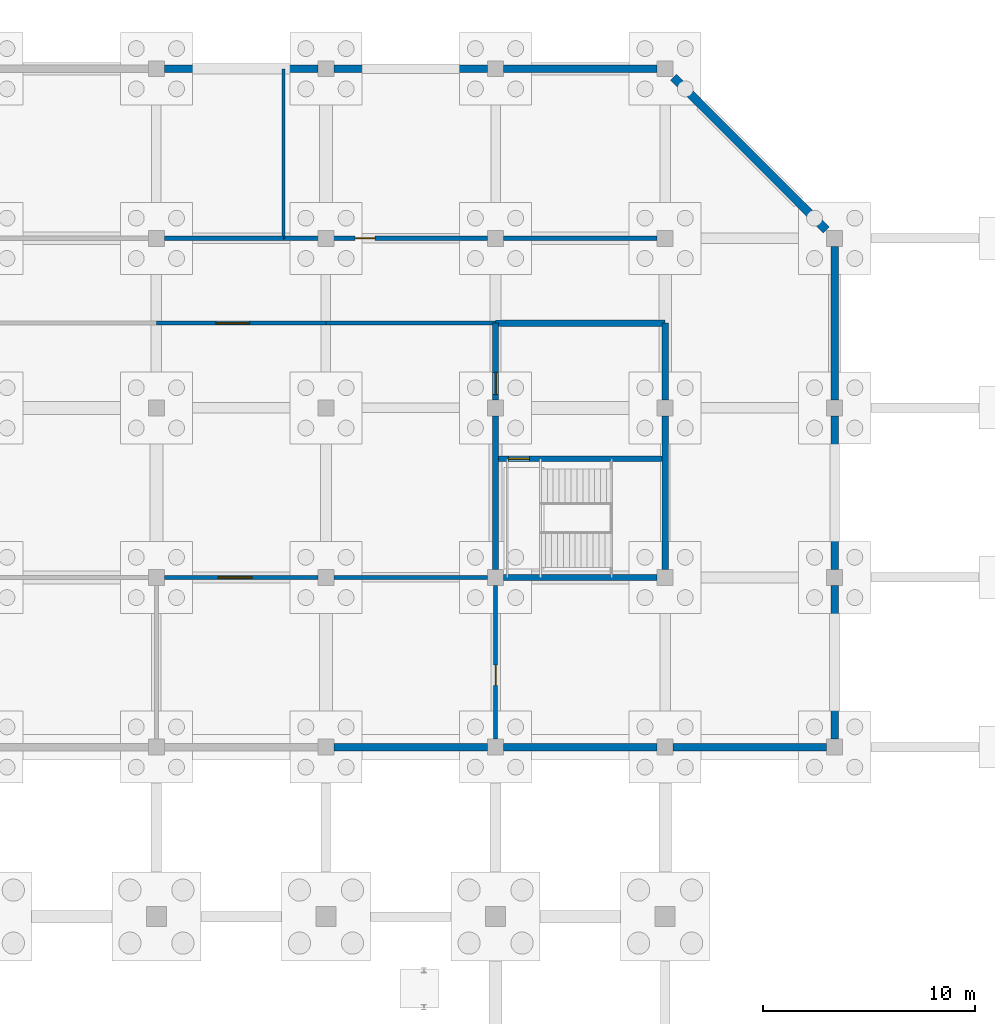
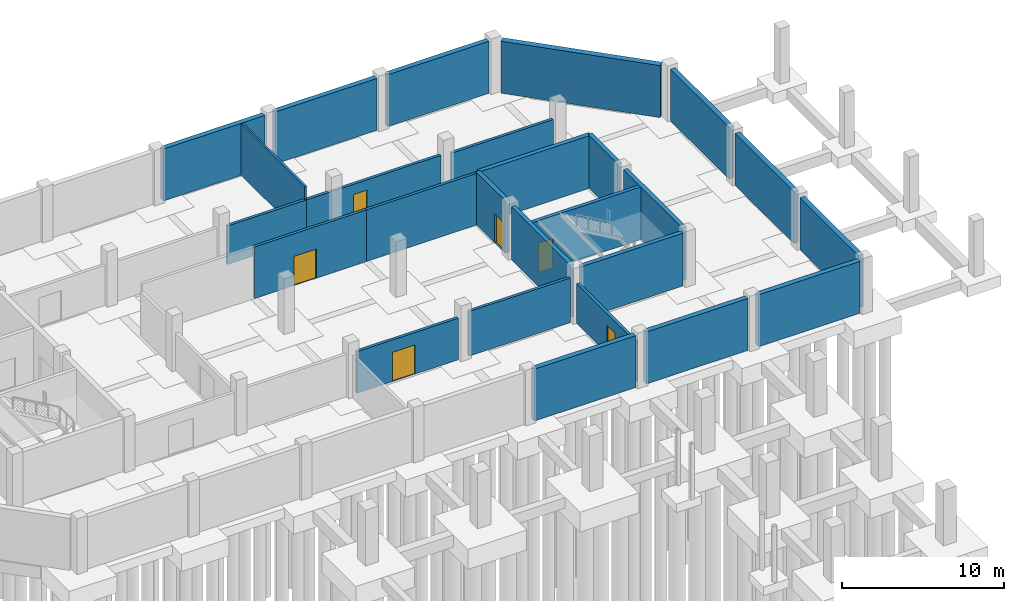
# One storey, part 25 of 32: 26 walls, 6 doors, 6 openings.
"""IFC4 building model written with IfcOpenShell, lengths in metres."""

import ifcopenshell
import ifcopenshell.guid

model = None  # the IFC model being written
_history = None  # IfcOwnerHistory: only IFC2X3 demands one
_inside = {}  # id of a spatial element -> (the spatial element, [elements in it])
_under = {}  # id of a project, library or spatial element -> (it, [spatial elements below it])
_declared = {}  # id of a project -> (the project, [libraries it declares])
_typed = {}  # id of a type object -> (the type object, [elements of that type])
_made_of = {}  # id of a material, layer set ... -> (it, [elements and type objects made of it])


def new_model(schema):
    """Start an empty IFC model of exactly this schema.

    Asked for "IFC4X3", IfcOpenShell would pick the latest addendum, in which some entities
    have other attributes; the version numbers below select the first issue.
    IFC2X3 requires an IfcOwnerHistory on every rooted entity: one is made here for all.
    """
    global model, _history
    if schema == "IFC4X3":
        model = ifcopenshell.file(schema_version=(4, 3, 0, 0))
    else:
        model = ifcopenshell.file(schema=schema)
    _inside.clear()
    _under.clear()
    _declared.clear()
    _typed.clear()
    _made_of.clear()
    _history = None
    if model.schema == "IFC2X3":
        org = make("IfcOrganization", Name="unknown")
        user = make(
            "IfcPersonAndOrganization",
            ThePerson=make("IfcPerson", FamilyName="unknown"),
            TheOrganization=org,
        )
        app = make(
            "IfcApplication",
            ApplicationDeveloper=org,
            Version="unknown",
            ApplicationFullName="unknown",
            ApplicationIdentifier="unknown",
        )
        _history = make(
            "IfcOwnerHistory",
            OwningUser=user,
            OwningApplication=app,
            ChangeAction="ADDED",
            CreationDate=0,
        )
    return model


def make(cls, **values):
    """One entity of the class cls with the attributes given. An attribute that is None is left unset."""
    return model.create_entity(
        cls, **{name: value for name, value in values.items() if value is not None}
    )


def rooted(cls, **values):
    """An entity with a GlobalId (a new one), such as an element, a storey or a relation."""
    return make(cls, GlobalId=ifcopenshell.guid.new(), OwnerHistory=_history, **values)


def si_unit(unit_type, name, prefix=None):
    """IfcSIUnit, for example si_unit("LENGTHUNIT", "METRE", prefix="MILLI")."""
    return make("IfcSIUnit", UnitType=unit_type, Prefix=prefix, Name=name)


def assignment(units):
    """IfcUnitAssignment: the units of a project."""
    return None if units is None else make("IfcUnitAssignment", Units=units)


def point(xyz):
    """IfcCartesianPoint."""
    return None if xyz is None else make("IfcCartesianPoint", Coordinates=xyz)


def direction(xyz):
    """IfcDirection."""
    return None if xyz is None else make("IfcDirection", DirectionRatios=xyz)


def frame(location, z_axis=None, x_axis=None):
    """IfcAxis2Placement3D, a coordinate frame: its origin and axes. An axis left out is left unset."""
    return make(
        "IfcAxis2Placement3D",
        Location=point(location),
        Axis=direction(z_axis),
        RefDirection=direction(x_axis),
    )


def frame_2d(location, x_axis=None):
    """IfcAxis2Placement2D, a coordinate frame in the plane: its origin and x axis."""
    return make(
        "IfcAxis2Placement2D", Location=point(location), RefDirection=direction(x_axis)
    )


def origin():
    """The frame at (0, 0, 0) with its axes left unset."""
    return frame((0.0, 0.0, 0.0))


def place(relative_to, where):
    """IfcLocalPlacement: puts the frame where relative to a parent placement (None: the world)."""
    return make(
        "IfcLocalPlacement", PlacementRelTo=relative_to, RelativePlacement=where
    )


def context(
    kind, dimensions, precision=None, world=None, true_north=None, identifier=None
):
    """IfcGeometricRepresentationContext, for example the 3D "Model" context."""
    return make(
        "IfcGeometricRepresentationContext",
        ContextIdentifier=identifier,
        ContextType=kind,
        CoordinateSpaceDimension=dimensions,
        Precision=precision,
        WorldCoordinateSystem=world,
        TrueNorth=true_north,
    )


def subcontext(parent, identifier, kind, view, scale=None):
    """IfcGeometricRepresentationSubContext, for example "Body" below "Model"."""
    return make(
        "IfcGeometricRepresentationSubContext",
        ContextIdentifier=identifier,
        ContextType=kind,
        ParentContext=parent,
        TargetScale=scale,
        TargetView=view,
    )


def project(units=None, contexts=None):
    """IfcProject with its units and contexts."""
    return rooted(
        "IfcProject",
        Name="project",
        RepresentationContexts=contexts,
        UnitsInContext=assignment(units),
    )


def spatial(cls, under=None, at=None, **own):
    """A site, building, storey or space (cls), placed at a placement, below another one or the project."""
    s = rooted(cls, ObjectPlacement=at, **own)
    if under is not None:
        _under.setdefault(under.id(), (under, []))[1].append(s)
    return s


def profile(cls, at=None, kind="AREA", **sizes):
    """A parametric profile (cls). Its sizes go by their IFC names, for example OverallWidth=200.0."""
    return make(cls, ProfileType=kind, Position=at, **sizes)


def rectangle(**sizes):
    """IfcRectangleProfileDef."""
    return profile("IfcRectangleProfileDef", **sizes)


def extrude(swept, where, along, depth):
    """IfcExtrudedAreaSolid: the profile swept, set in the frame where, extruded along a direction by depth."""
    return make(
        "IfcExtrudedAreaSolid",
        SweptArea=swept,
        Position=where,
        ExtrudedDirection=direction(along),
        Depth=depth,
    )


def shape(context_of_items, identifier, shape_type, items):
    """IfcShapeRepresentation: the items that make up one representation, for example the "Body"."""
    return make(
        "IfcShapeRepresentation",
        ContextOfItems=context_of_items,
        RepresentationIdentifier=identifier,
        RepresentationType=shape_type,
        Items=items,
    )


def material(Name=None, Category=None):
    """IfcMaterial."""
    return make("IfcMaterial", Name=Name, Category=Category)


def layer(
    of_material, thickness, ventilated=None, Name=None, Category=None, Priority=None
):
    """IfcMaterialLayer: one layer of a wall or slab, of a material (None: an air gap)."""
    return make(
        "IfcMaterialLayer",
        Material=of_material,
        LayerThickness=thickness,
        IsVentilated=ventilated,
        Name=Name,
        Category=Category,
        Priority=Priority,
    )


def layer_set(layers, Name=None):
    """IfcMaterialLayerSet."""
    return make("IfcMaterialLayerSet", MaterialLayers=layers, LayerSetName=Name)


def made_of(thing, what):
    """Note that an element or type object is made of a material, layer set ...; save() writes the relation."""
    if what is not None:
        _made_of.setdefault(what.id(), (what, []))[1].append(thing)
    return thing


def type_object(cls, material=None, **own):
    """A type object (cls), such as IfcWallType, which elements share."""
    return made_of(rooted(cls, **own), material)


def element(
    cls,
    number,
    at=None,
    inside=None,
    cuts=None,
    type_object=None,
    material=None,
    context=None,
    identifier="Body",
    shape_type=None,
    held_by="IfcProductDefinitionShape",
    body=None,
    shapes=None,
    **own,
):
    """One element of the class cls, such as IfcWall. Its Tag is "e" and its number.

    at: its placement. inside: the storey or other place that contains it. cuts: it is an
    opening in that element (IfcRelVoidsElement). A single representation is given by context,
    identifier, shape_type and body (its items); several are given by shapes. held_by: the class
    of the entity that holds the representations. save() writes the other relations.
    """
    e = rooted(cls, Tag="e%d" % number, ObjectPlacement=at, **own)
    if body is not None:
        shapes = [shape(context, identifier, shape_type, body)]
    if shapes is not None:
        e.Representation = make(held_by, Representations=shapes)
    if inside is not None:
        _inside.setdefault(inside.id(), (inside, []))[1].append(e)
    if cuts is not None:
        rooted(
            "IfcRelVoidsElement", RelatingBuildingElement=cuts, RelatedOpeningElement=e
        )
    if type_object is not None:
        _typed.setdefault(type_object.id(), (type_object, []))[1].append(e)
    return made_of(e, material)


def fill(opening, filler):
    """IfcRelFillsElement: the door or window that sits in an opening."""
    return rooted(
        "IfcRelFillsElement",
        RelatingOpeningElement=opening,
        RelatedBuildingElement=filler,
    )


def aggregate(whole, parts):
    """IfcRelAggregates: a whole, such as a stair, and the parts it consists of."""
    return rooted("IfcRelAggregates", RelatingObject=whole, RelatedObjects=parts)


def save(model, path):
    """Write the relations noted so far, then the file.

    IfcRelAggregates (storeys below a building ...), IfcRelContainedInSpatialStructure (elements
    in a storey), IfcRelDefinesByType, IfcRelAssociatesMaterial and IfcRelDeclares: one each for
    every whole, place, type object, material and project.
    """
    for whole, parts in _under.values():
        aggregate(whole, parts)
    for where, things in _inside.values():
        rooted(
            "IfcRelContainedInSpatialStructure",
            RelatedElements=things,
            RelatingStructure=where,
        )
    for kind, things in _typed.values():
        rooted("IfcRelDefinesByType", RelatedObjects=things, RelatingType=kind)
    for what, things in _made_of.values():
        rooted("IfcRelAssociatesMaterial", RelatedObjects=things, RelatingMaterial=what)
    for by, libraries in _declared.values():
        rooted("IfcRelDeclares", RelatingContext=by, RelatedDefinitions=libraries)
    model.write(path)


model = new_model("IFC4")

# Units and contexts
model_context = context("Model", 3, precision=1e-05, world=origin(), true_north=direction((0.0, 1.0)))
body_context = subcontext(model_context, "Body", "Model", "MODEL_VIEW")
ifc_project = project(units=[si_unit("LENGTHUNIT", "METRE"), si_unit("AREAUNIT", "SQUARE_METRE"), si_unit("VOLUMEUNIT", "CUBIC_METRE"), si_unit("PLANEANGLEUNIT", "RADIAN"), si_unit("MASSUNIT", "GRAM", prefix="KILO")], contexts=[model_context])

# Site, building, storey
site_placement = place(None, origin())
site = spatial("IfcSite", under=ifc_project, at=site_placement, CompositionType="ELEMENT")
building_placement = place(site_placement, origin())
building = spatial("IfcBuilding", under=site, at=building_placement, Name="Tenunan Teduh Sports Hall", CompositionType="ELEMENT")
storey_placement = place(building_placement, frame((0.0, 0.0, -4.199951171875)))
storey = spatial("IfcBuildingStorey", under=building, at=storey_placement, Name="B1", CompositionType="ELEMENT", Elevation=-4.199951171875)

# Wall, opening, door
ifc_material_1 = material(Name="Concrete C40/50", Category="concrete")
ifc_layer_1 = layer(ifc_material_1, 0.25)
ifc_layer_set_1 = layer_set([ifc_layer_1], Name="Concrete C40/50")
wall_type_1 = type_object("IfcWallType", Name="WL-COR-250", PredefinedType="SOLIDWALL", material=ifc_layer_set_1)
wall_1_placement = place(storey_placement, frame((146.14990234375, 99.60009765625, 0.0), z_axis=(0.0, 0.0, 1.0), x_axis=(1.0, 0.0, 0.0)))
wall_1 = element("IfcWall", 1, at=wall_1_placement, inside=storey, type_object=wall_type_1, Name="WL-COR-B1-196", PredefinedType="SOLIDWALL", context=body_context, shape_type="SweptSolid", body=[
    extrude(rectangle(XDim=7.7001953125, YDim=0.25, at=frame_2d((3.85009765625, 0.0))), origin(), (0.0, 0.0, 1.0), 3.97998046875),
])
opening_1_placement = place(wall_1_placement, frame((0.449951171875, 0.0, 0.0)))
opening_1 = element("IfcOpeningElement", 2, at=opening_1_placement, cuts=wall_1, Name="Opening FD-01", PredefinedType="OPENING", context=body_context, shape_type="SweptSolid", body=[
    extrude(rectangle(XDim=1.0, YDim=2.199951171875, at=frame_2d((0.5, 1.10009765625))), frame((0.0, 0.135009765625, 0.0), z_axis=(0.0, -1.0, 0.0), x_axis=(1.0, 0.0, 0.0)), (0.0, 0.0, 1.0), 0.27001953125),
])
ifc_material_2 = material(Name="Fire-rated steel leaf and frame", Category="steel")
door_type_1 = type_object("IfcDoorType", Name="FDR-01", OperationType="SINGLE_SWING_LEFT", PredefinedType="DOOR", material=ifc_material_2)
door_1_placement = place(opening_1_placement, frame((1.0, 0.0, 0.0), z_axis=(0.0, 0.0, 1.0), x_axis=(-1.0, 0.0, 0.0)))
door_1 = element("IfcDoor", 3, at=door_1_placement, inside=storey, type_object=door_type_1, Name="DR-INT-B1-078", OperationType="SINGLE_SWING_LEFT", OverallHeight=2.199951171875, OverallWidth=1.0, PredefinedType="DOOR", context=body_context, shape_type="SweptSolid", body=[
    extrude(rectangle(XDim=1.0, YDim=2.199951171875, at=frame_2d((0.5, 1.10009765625))), frame((0.0, 0.02490234375, 0.0), z_axis=(0.0, -1.0, 0.0), x_axis=(1.0, 0.0, 0.0)), (0.0, 0.0, 1.0), 0.050048828125),
])
fill(opening_1, door_1)

# Wall
ifc_material_3 = material(Name="Acoustic stud and double plasterboard")
ifc_layer_2 = layer(ifc_material_3, 0.14990234375)
ifc_layer_set_2 = layer_set([ifc_layer_2], Name="Acoustic stud and double plasterboard")
wall_type_2 = type_object("IfcWallType", Name="WL-PRT-150", PredefinedType="PARTITIONING", material=ifc_layer_set_2)
wall_2_placement = place(storey_placement, frame((136.0, 110.0, 0.0), z_axis=(0.0, 0.0, 1.0), x_axis=(0.0, 1.0, 0.0)))
element("IfcWall", 4, at=wall_2_placement, inside=storey, type_object=wall_type_2, Name="WL-PRT-B1-281", PredefinedType="PARTITIONING", context=body_context, shape_type="SweptSolid", body=[
    extrude(rectangle(XDim=8.0, YDim=0.14990234375, at=frame_2d((4.0, 0.0))), origin(), (0.0, 0.0, 1.0), 3.89990234375),
])

# Wall, opening, door
ifc_material_4 = material(Name="Autoclaved aerated concrete blockwork", Category="masonry")
ifc_layer_3 = layer(ifc_material_4, 0.199951171875)
ifc_layer_set_3 = layer_set([ifc_layer_3], Name="Autoclaved aerated concrete blockwork")
wall_type_3 = type_object("IfcWallType", Name="WL-PRT-200", PredefinedType="PARTITIONING", material=ifc_layer_set_3)
wall_3_placement = place(storey_placement, frame((130.375, 94.0, 0.0), z_axis=(0.0, 0.0, 1.0), x_axis=(1.0, 0.0, 0.0)))
wall_3 = element("IfcWall", 5, at=wall_3_placement, inside=storey, type_object=wall_type_3, Name="WL-PRT-B1-267", PredefinedType="PARTITIONING", context=body_context, shape_type="SweptSolid", body=[
    extrude(rectangle(XDim=7.25, YDim=0.199951171875, at=frame_2d((3.625, 0.0))), origin(), (0.0, 0.0, 1.0), 3.139892578125),
])
opening_2_placement = place(wall_3_placement, frame((2.5400390625, 0.0, 0.0)))
opening_2 = element("IfcOpeningElement", 6, at=opening_2_placement, cuts=wall_3, Name="Opening FD-04", PredefinedType="OPENING", context=body_context, shape_type="SweptSolid", body=[
    extrude(rectangle(XDim=1.60009765625, YDim=2.199951171875, at=frame_2d((0.800048828125, 1.10009765625))), frame((0.0, 0.10986328125, 0.0), z_axis=(0.0, -1.0, 0.0), x_axis=(1.0, 0.0, 0.0)), (0.0, 0.0, 1.0), 0.219970703125),
])
ifc_material_5 = material(Name="Fire-rated hardwood pair", Category="wood")
door_type_2 = type_object("IfcDoorType", Name="FDR-04", OperationType="DOUBLE_DOOR_SINGLE_SWING", PredefinedType="DOOR", material=ifc_material_5)
door_2_placement = place(opening_2_placement, origin())
door_2 = element("IfcDoor", 7, at=door_2_placement, inside=storey, type_object=door_type_2, Name="DR-INT-B1-102", OperationType="DOUBLE_DOOR_SINGLE_SWING", OverallHeight=2.199951171875, OverallWidth=1.60009765625, PredefinedType="DOOR", context=body_context, shape_type="SweptSolid", body=[
    extrude(rectangle(XDim=1.60009765625, YDim=2.199951171875, at=frame_2d((0.800048828125, 1.10009765625))), frame((0.0, 0.02490234375, 0.0), z_axis=(0.0, -1.0, 0.0), x_axis=(1.0, 0.0, 0.0)), (0.0, 0.0, 1.0), 0.050048828125),
])
fill(opening_2, door_2)

# Wall
wall_4_placement = place(storey_placement, frame((138.375, 94.0, 0.0), z_axis=(0.0, 0.0, 1.0), x_axis=(1.0, 0.0, 0.0)))
element("IfcWall", 8, at=wall_4_placement, inside=storey, type_object=wall_type_3, Name="WL-PRT-B1-268", PredefinedType="PARTITIONING", context=body_context, shape_type="SweptSolid", body=[
    extrude(rectangle(XDim=7.25, YDim=0.199951171875, at=frame_2d((3.625, 0.0))), origin(), (0.0, 0.0, 1.0), 3.369873046875),
])

# Wall, opening, door
wall_5_placement = place(storey_placement, frame((146.0, 86.375, 0.0), z_axis=(0.0, 0.0, 1.0), x_axis=(0.0, 1.0, 0.0)))
wall_5 = element("IfcWall", 9, at=wall_5_placement, inside=storey, type_object=wall_type_3, Name="WL-PRT-B1-270", PredefinedType="PARTITIONING", context=body_context, shape_type="SweptSolid", body=[
    extrude(rectangle(XDim=7.25, YDim=0.199951171875, at=frame_2d((3.625, 0.0))), origin(), (0.0, 0.0, 1.0), 3.02001953125),
])
opening_3_placement = place(wall_5_placement, frame((2.5400390625, 0.0, 0.0)))
opening_3 = element("IfcOpeningElement", 10, at=opening_3_placement, cuts=wall_5, Name="Opening FD-05", PredefinedType="OPENING", context=body_context, shape_type="SweptSolid", body=[
    extrude(rectangle(XDim=0.949951171875, YDim=2.14990234375, at=frame_2d((0.47509765625, 1.074951171875))), frame((0.0, 0.10986328125, 0.0), z_axis=(0.0, -1.0, 0.0), x_axis=(1.0, 0.0, 0.0)), (0.0, 0.0, 1.0), 0.219970703125),
])
ifc_material_6 = material(Name="Fire-rated timber leaf", Category="wood")
door_type_3 = type_object("IfcDoorType", Name="FDR-05", OperationType="SINGLE_SWING_LEFT", PredefinedType="DOOR", material=ifc_material_6)
door_3_placement = place(opening_3_placement, origin())
door_3 = element("IfcDoor", 11, at=door_3_placement, inside=storey, type_object=door_type_3, Name="DR-INT-B1-103", OperationType="SINGLE_SWING_RIGHT", OverallHeight=2.14990234375, OverallWidth=0.949951171875, PredefinedType="DOOR", context=body_context, shape_type="SweptSolid", body=[
    extrude(rectangle(XDim=0.949951171875, YDim=2.14990234375, at=frame_2d((0.47509765625, 1.074951171875))), frame((0.0, 0.02490234375, 0.0), z_axis=(0.0, -1.0, 0.0), x_axis=(1.0, 0.0, 0.0)), (0.0, 0.0, 1.0), 0.050048828125),
])
fill(opening_3, door_3)

wall_6_placement = place(storey_placement, frame((130.0, 106.0, 0.0), z_axis=(0.0, 0.0, 1.0), x_axis=(1.0, 0.0, 0.0)))
wall_6 = element("IfcWall", 12, at=wall_6_placement, inside=storey, type_object=wall_type_3, Name="WL-PRT-B1-274", PredefinedType="PARTITIONING", context=body_context, shape_type="SweptSolid", body=[
    extrude(rectangle(XDim=8.0, YDim=0.199951171875, at=frame_2d((4.0, 0.0))), origin(), (0.0, 0.0, 1.0), 3.89990234375),
])
opening_4_placement = place(wall_6_placement, frame((2.800048828125, 0.0, 0.0)))
opening_4 = element("IfcOpeningElement", 13, at=opening_4_placement, cuts=wall_6, Name="Opening FD-04", PredefinedType="OPENING", context=body_context, shape_type="SweptSolid", body=[
    extrude(rectangle(XDim=1.60009765625, YDim=2.199951171875, at=frame_2d((0.800048828125, 1.10009765625))), frame((0.0, 0.10986328125, 0.0), z_axis=(0.0, -1.0, 0.0), x_axis=(1.0, 0.0, 0.0)), (0.0, 0.0, 1.0), 0.219970703125),
])
door_4_placement = place(opening_4_placement, frame((1.60009765625, 0.0, 0.0), z_axis=(0.0, 0.0, 1.0), x_axis=(-1.0, 0.0, 0.0)))
door_4 = element("IfcDoor", 14, at=door_4_placement, inside=storey, type_object=door_type_2, Name="DR-INT-B1-105", OperationType="DOUBLE_DOOR_SINGLE_SWING", OverallHeight=2.199951171875, OverallWidth=1.60009765625, PredefinedType="DOOR", context=body_context, shape_type="SweptSolid", body=[
    extrude(rectangle(XDim=1.60009765625, YDim=2.199951171875, at=frame_2d((0.800048828125, 1.10009765625))), frame((0.0, 0.02490234375, 0.0), z_axis=(0.0, -1.0, 0.0), x_axis=(1.0, 0.0, 0.0)), (0.0, 0.0, 1.0), 0.050048828125),
])
fill(opening_4, door_4)

# Walls
wall_7_placement = place(storey_placement, frame((138.0, 106.0, 0.0), z_axis=(0.0, 0.0, 1.0), x_axis=(1.0, 0.0, 0.0)))
element("IfcWall", 15, at=wall_7_placement, inside=storey, type_object=wall_type_3, Name="WL-PRT-B1-275", PredefinedType="PARTITIONING", context=body_context, shape_type="SweptSolid", body=[
    extrude(rectangle(XDim=8.0, YDim=0.199951171875, at=frame_2d((4.0, 0.0))), origin(), (0.0, 0.0, 1.0), 3.89990234375),
])
wall_8_placement = place(storey_placement, frame((130.375, 110.0, 0.0), z_axis=(0.0, 0.0, 1.0), x_axis=(1.0, 0.0, 0.0)))
element("IfcWall", 16, at=wall_8_placement, inside=storey, type_object=wall_type_3, Name="WL-PRT-B1-278", PredefinedType="PARTITIONING", context=body_context, shape_type="SweptSolid", body=[
    extrude(rectangle(XDim=5.625, YDim=0.199951171875, at=frame_2d((2.8125, 0.0))), origin(), (0.0, 0.0, 1.0), 2.919921875),
])

# Wall, opening, door
wall_9_placement = place(storey_placement, frame((136.0, 110.0, 0.0), z_axis=(0.0, 0.0, 1.0), x_axis=(1.0, 0.0, 0.0)))
wall_9 = element("IfcWall", 17, at=wall_9_placement, inside=storey, type_object=wall_type_3, Name="WL-PRT-B1-279", PredefinedType="PARTITIONING", context=body_context, shape_type="SweptSolid", body=[
    extrude(rectangle(XDim=9.625, YDim=0.199951171875, at=frame_2d((4.8125, 0.0))), origin(), (0.0, 0.0, 1.0), 2.919921875),
])
opening_5_placement = place(wall_9_placement, frame((3.3701171875, 0.0, 0.0)))
opening_5 = element("IfcOpeningElement", 18, at=opening_5_placement, cuts=wall_9, Name="Opening FD-05", PredefinedType="OPENING", context=body_context, shape_type="SweptSolid", body=[
    extrude(rectangle(XDim=0.949951171875, YDim=2.14990234375, at=frame_2d((0.47509765625, 1.074951171875))), frame((0.0, 0.10986328125, 0.0), z_axis=(0.0, -1.0, 0.0), x_axis=(1.0, 0.0, 0.0)), (0.0, 0.0, 1.0), 0.219970703125),
])
door_5_placement = place(opening_5_placement, frame((0.949951171875, 0.0, 0.0), z_axis=(0.0, 0.0, 1.0), x_axis=(-1.0, 0.0, 0.0)))
door_5 = element("IfcDoor", 19, at=door_5_placement, inside=storey, type_object=door_type_3, Name="DR-INT-B1-107", OperationType="SINGLE_SWING_RIGHT", OverallHeight=2.14990234375, OverallWidth=0.949951171875, PredefinedType="DOOR", context=body_context, shape_type="SweptSolid", body=[
    extrude(rectangle(XDim=0.949951171875, YDim=2.14990234375, at=frame_2d((0.47509765625, 1.074951171875))), frame((0.0, 0.02490234375, 0.0), z_axis=(0.0, -1.0, 0.0), x_axis=(1.0, 0.0, 0.0)), (0.0, 0.0, 1.0), 0.050048828125),
])
fill(opening_5, door_5)

# Walls
wall_10_placement = place(storey_placement, frame((146.375, 110.0, 0.0), z_axis=(0.0, 0.0, 1.0), x_axis=(1.0, 0.0, 0.0)))
element("IfcWall", 20, at=wall_10_placement, inside=storey, type_object=wall_type_3, Name="WL-PRT-B1-280", PredefinedType="PARTITIONING", context=body_context, shape_type="SweptSolid", body=[
    extrude(rectangle(XDim=7.25, YDim=0.199951171875, at=frame_2d((3.625, 0.0))), origin(), (0.0, 0.0, 1.0), 2.820068359375),
])
ifc_material_7 = material(Name="Concrete C40/50", Category="concrete")
ifc_layer_4 = layer(ifc_material_7, 0.35009765625)
ifc_layer_set_4 = layer_set([ifc_layer_4], Name="Concrete C40/50")
wall_type_4 = type_object("IfcWallType", Name="WL-RET-350", PredefinedType="USERDEFINED", material=ifc_layer_set_4)
for number, where, z_axis, x_axis, name in (
    (21, (138.375, 86.0, 0.0), (0.0, 0.0, 1.0), (1.0, 0.0, 0.0), "WL-EXT-B1-032"),
    (22, (146.375, 86.0, 0.0), (0.0, 0.0, 1.0), (1.0, 0.0, 0.0), "WL-EXT-B1-033"),
    (23, (154.375, 86.0, 0.0), (0.0, 0.0, 1.0), (1.0, 0.0, 0.0), "WL-EXT-B1-034"),
    (24, (162.0, 86.375, 0.0), (0.0, 0.0, 1.0), (0.0, 1.0, 0.0), "WL-EXT-B1-035"),
    (25, (162.0, 94.375, 0.0), (0.0, 0.0, 1.0), (0.0, 1.0, 0.0), "WL-EXT-B1-036"),
    (26, (162.0, 102.375, 0.0), (0.0, 0.0, 1.0), (0.0, 1.0, 0.0), "WL-EXT-B1-037"),
    (27, (130.375, 118.0, 0.0), (0.0, 0.0, 1.0), (1.0, 0.0, 0.0), "WL-EXT-B1-041"),
    (28, (138.375, 118.0, 0.0), (0.0, 0.0, 1.0), (1.0, 0.0, 0.0), "WL-EXT-B1-042"),
    (29, (146.375, 118.0, 0.0), (0.0, 0.0, 1.0), (1.0, 0.0, 0.0), "WL-EXT-B1-043"),
):
    element("IfcWall", number, at=place(storey_placement, frame(where, z_axis=z_axis, x_axis=x_axis)), inside=storey, type_object=wall_type_4, Name=name, ObjectType="RETAINING WALL", PredefinedType="USERDEFINED", context=body_context, shape_type="SweptSolid", body=[
        extrude(rectangle(XDim=7.25, YDim=0.35009765625, at=frame_2d((3.625, 0.0))), origin(), (0.0, 0.0, 1.0), 3.919921875),
    ])
ifc_material_8 = material(Name="Concrete C40/50", Category="concrete")
ifc_layer_5 = layer(ifc_material_8, 0.39990234375)
ifc_layer_set_5 = layer_set([ifc_layer_5], Name="Concrete C40/50")
wall_type_5 = type_object("IfcWallType", Name="WL-RET-400", PredefinedType="USERDEFINED", material=ifc_layer_set_5)
wall_11_placement = place(storey_placement, frame((154.393798828125, 117.606201171875, 0.0), z_axis=(0.0, 0.0, 1.0), x_axis=(0.707106781187, -0.707106781187, 0.0)))
element("IfcWall", 30, at=wall_11_placement, inside=storey, type_object=wall_type_5, Name="WL-EXT-B1-049", ObjectType="RETAINING WALL", PredefinedType="USERDEFINED", context=body_context, shape_type="SweptSolid", body=[
    extrude(rectangle(XDim=10.199951171875, YDim=0.39990234375, at=frame_2d((5.10009765625, 0.0))), origin(), (0.0, 0.0, 1.0), 3.919921875),
])
ifc_material_9 = material(Name="Concrete C40/50", Category="concrete")
ifc_layer_6 = layer(ifc_material_9, 0.300048828125)
ifc_layer_set_6 = layer_set([ifc_layer_6], Name="Concrete C40/50")
wall_type_6 = type_object("IfcWallType", Name="WL-SHR-300", PredefinedType="SHEAR", material=ifc_layer_set_6)
wall_12_placement = place(storey_placement, frame((146.375, 94.0, 0.0), z_axis=(0.0, 0.0, 1.0), x_axis=(1.0, 0.0, 0.0)))
element("IfcWall", 31, at=wall_12_placement, inside=storey, type_object=wall_type_6, Name="WL-COR-B1-190", PredefinedType="SHEAR", context=body_context, shape_type="SweptSolid", body=[
    extrude(rectangle(XDim=7.25, YDim=0.300048828125, at=frame_2d((3.625, 0.0))), origin(), (0.0, 0.0, 1.0), 3.97998046875),
])
wall_13_placement = place(storey_placement, frame((146.0, 106.0, 0.0), z_axis=(0.0, 0.0, 1.0), x_axis=(1.0, 0.0, 0.0)))
element("IfcWall", 32, at=wall_13_placement, inside=storey, type_object=wall_type_6, Name="WL-COR-B1-191", PredefinedType="SHEAR", context=body_context, shape_type="SweptSolid", body=[
    extrude(rectangle(XDim=8.0, YDim=0.300048828125, at=frame_2d((4.0, 0.0))), origin(), (0.0, 0.0, 1.0), 3.97998046875),
])
wall_14_placement = place(storey_placement, frame((146.0, 94.375, 0.0), z_axis=(0.0, 0.0, 1.0), x_axis=(0.0, 1.0, 0.0)))
element("IfcWall", 33, at=wall_14_placement, inside=storey, type_object=wall_type_6, Name="WL-COR-B1-192", PredefinedType="SHEAR", context=body_context, shape_type="SweptSolid", body=[
    extrude(rectangle(XDim=7.25, YDim=0.300048828125, at=frame_2d((3.625, 0.0))), origin(), (0.0, 0.0, 1.0), 3.97998046875),
])

# Wall, opening, door
wall_15_placement = place(storey_placement, frame((146.0, 102.375, 0.0), z_axis=(0.0, 0.0, 1.0), x_axis=(0.0, 1.0, 0.0)))
wall_15 = element("IfcWall", 34, at=wall_15_placement, inside=storey, type_object=wall_type_6, Name="WL-COR-B1-193", PredefinedType="SHEAR", context=body_context, shape_type="SweptSolid", body=[
    extrude(rectangle(XDim=3.625, YDim=0.300048828125, at=frame_2d((1.8125, 0.0))), origin(), (0.0, 0.0, 1.0), 3.97998046875),
])
opening_6_placement = place(wall_15_placement, frame((0.25, 0.0, 0.0)))
opening_6 = element("IfcOpeningElement", 35, at=opening_6_placement, cuts=wall_15, Name="Opening FD-02", PredefinedType="OPENING", context=body_context, shape_type="SweptSolid", body=[
    extrude(rectangle(XDim=1.050048828125, YDim=2.199951171875, at=frame_2d((0.52490234375, 1.10009765625))), frame((0.0, 0.159912109375, 0.0), z_axis=(0.0, -1.0, 0.0), x_axis=(1.0, 0.0, 0.0)), (0.0, 0.0, 1.0), 0.320068359375),
])
ifc_material_10 = material(Name="Fire-rated steel leaf and frame", Category="steel")
door_type_4 = type_object("IfcDoorType", Name="FDR-02", OperationType="SINGLE_SWING_RIGHT", PredefinedType="DOOR", material=ifc_material_10)
door_6_placement = place(opening_6_placement, origin())
door_6 = element("IfcDoor", 36, at=door_6_placement, inside=storey, type_object=door_type_4, Name="DR-INT-B1-077", OperationType="SINGLE_SWING_LEFT", OverallHeight=2.199951171875, OverallWidth=1.050048828125, PredefinedType="DOOR", context=body_context, shape_type="SweptSolid", body=[
    extrude(rectangle(XDim=1.050048828125, YDim=2.199951171875, at=frame_2d((0.52490234375, 1.10009765625))), frame((0.0, 0.02490234375, 0.0), z_axis=(0.0, -1.0, 0.0), x_axis=(1.0, 0.0, 0.0)), (0.0, 0.0, 1.0), 0.050048828125),
])
fill(opening_6, door_6)

# Walls
wall_16_placement = place(storey_placement, frame((154.0, 94.375, 0.0), z_axis=(0.0, 0.0, 1.0), x_axis=(0.0, 1.0, 0.0)))
element("IfcWall", 37, at=wall_16_placement, inside=storey, type_object=wall_type_6, Name="WL-COR-B1-194", PredefinedType="SHEAR", context=body_context, shape_type="SweptSolid", body=[
    extrude(rectangle(XDim=7.25, YDim=0.300048828125, at=frame_2d((3.625, 0.0))), origin(), (0.0, 0.0, 1.0), 3.97998046875),
])
wall_17_placement = place(storey_placement, frame((154.0, 102.375, 0.0), z_axis=(0.0, 0.0, 1.0), x_axis=(0.0, 1.0, 0.0)))
element("IfcWall", 38, at=wall_17_placement, inside=storey, type_object=wall_type_6, Name="WL-COR-B1-195", PredefinedType="SHEAR", context=body_context, shape_type="SweptSolid", body=[
    extrude(rectangle(XDim=3.625, YDim=0.300048828125, at=frame_2d((1.8125, 0.0))), origin(), (0.0, 0.0, 1.0), 3.97998046875),
])

save(model, "model.ifc")
